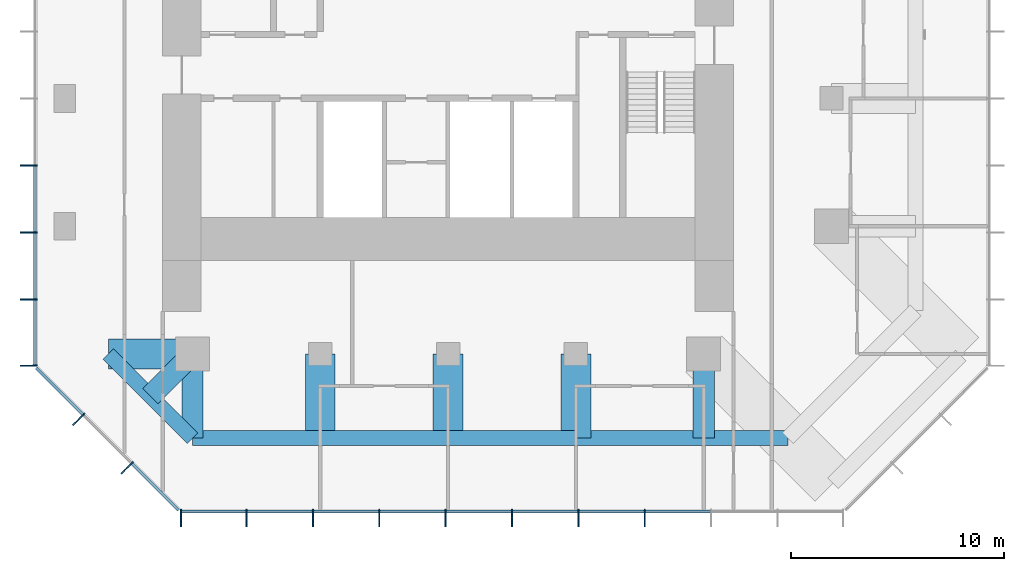
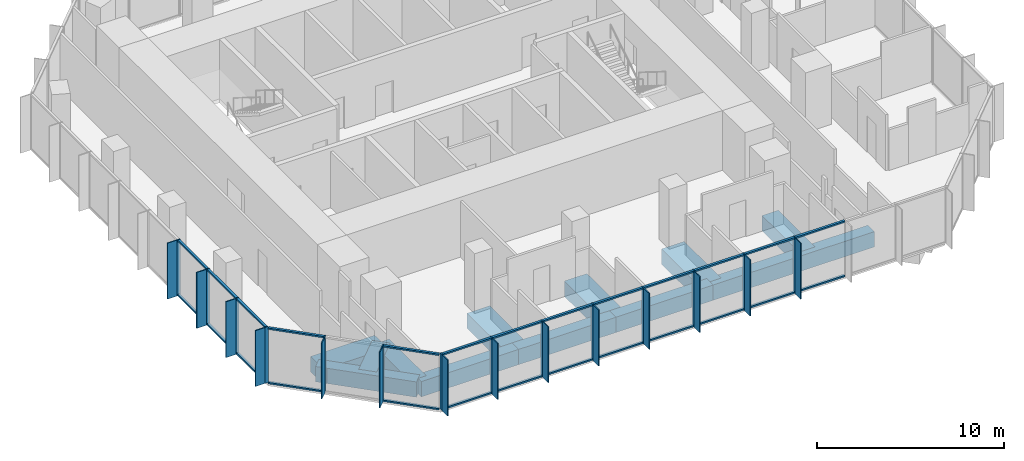
# One storey, part 2 of 11: 54 members, 12 beams, 3 elements without a shape of their own.
"""IFC4 building model written with IfcOpenShell, lengths in metres."""

from ifc_helpers import new_model, si_unit, direction, frame, origin, origin_2d, place, context, subcontext, project, spatial, rectangle, extrude, material, layer, layer_set, material_profile, profile_set, type_object, element, aggregate, save


model = new_model("IFC4")

# Units and contexts
model_context = context("Model", 3, precision=1e-05, world=origin(), true_north=direction((0.0, 1.0)))
body_context = subcontext(model_context, "Body", "Model", "MODEL_VIEW")
ifc_project = project(units=[si_unit("LENGTHUNIT", "METRE"), si_unit("AREAUNIT", "SQUARE_METRE"), si_unit("VOLUMEUNIT", "CUBIC_METRE"), si_unit("PLANEANGLEUNIT", "RADIAN"), si_unit("MASSUNIT", "GRAM", prefix="KILO")], contexts=[model_context])

# Site, building, storey
site_placement = place(None, origin())
site = spatial("IfcSite", under=ifc_project, at=site_placement, CompositionType="ELEMENT")
building_placement = place(site_placement, origin())
building = spatial("IfcBuilding", under=site, at=building_placement, Name="Highveld Stack Headquarters", CompositionType="ELEMENT")
storey_placement = place(building_placement, frame((0.0, 0.0, 291.800048828125)))
storey = spatial("IfcBuildingStorey", under=building, at=storey_placement, Name="L72", CompositionType="ELEMENT", Elevation=291.800048828125)

# Beams
ifc_material_1 = material(Name="Concrete C60/75", Category="concrete")
ifc_material_profile_1 = material_profile(ifc_material_1, rectangle(XDim=1.0, YDim=1.0, at=origin_2d()), Name="RC 1000x1000")
ifc_profile_set_1 = profile_set([ifc_material_profile_1], Name="Concrete C60/75")
beam_type_1 = type_object("IfcBeamType", Name="CANTILEVER RIB RC 1000x1000", PredefinedType="USERDEFINED", material=ifc_profile_set_1)
beam_1_placement = place(storey_placement, frame((-6.0, -12.0, -0.75), z_axis=(0.0, -1.0, 0.0), x_axis=(1.0, 0.0, 0.0)))
element("IfcBeam", 1, at=beam_1_placement, inside=storey, type_object=beam_type_1, Name="Cantilever rib 5/C L72", ObjectType="CANTILEVER RIB", PredefinedType="USERDEFINED", context=body_context, shape_type="SweptSolid", body=[
    extrude(rectangle(XDim=1.0, YDim=1.0, at=origin_2d()), origin(), (0.0, 0.0, 1.0), 3.949951171875),
])
beam_2_placement = place(storey_placement, frame((-6.0, -12.0, -0.75), z_axis=(-0.707106781187, -0.707106781187, 0.0), x_axis=(0.707106781187, -0.707106781187, 0.0)))
element("IfcBeam", 2, at=beam_2_placement, inside=storey, type_object=beam_type_1, Name="Cantilever rib 5/C L72", ObjectType="CANTILEVER RIB", PredefinedType="USERDEFINED", context=body_context, shape_type="SweptSolid", body=[
    extrude(rectangle(XDim=1.0, YDim=1.0, at=origin_2d()), origin(), (0.0, 0.0, 1.0), 2.793212890625),
])
beam_3_placement = place(storey_placement, frame((18.0, -12.0, -0.75), z_axis=(0.0, -1.0, 0.0), x_axis=(1.0, 0.0, 0.0)))
element("IfcBeam", 3, at=beam_3_placement, inside=storey, type_object=beam_type_1, Name="Cantilever rib 9/C L72", ObjectType="CANTILEVER RIB", PredefinedType="USERDEFINED", context=body_context, shape_type="SweptSolid", body=[
    extrude(rectangle(XDim=1.0, YDim=1.0, at=origin_2d()), origin(), (0.0, 0.0, 1.0), 3.949951171875),
])
ifc_material_2 = material(Name="Concrete C60/75", Category="concrete")
ifc_material_profile_2 = material_profile(ifc_material_2, rectangle(XDim=1.39990234375, YDim=1.0, at=origin_2d()), Name="RC 1400x1000")
ifc_profile_set_2 = profile_set([ifc_material_profile_2], Name="Concrete C60/75")
beam_type_2 = type_object("IfcBeamType", Name="CANTILEVER RIB RC 1400x1000", PredefinedType="USERDEFINED", material=ifc_profile_set_2)
for number, where, z_axis, x_axis, name in (
    (4, (-6.0, -12.0, -0.75), (-1.0, 0.0, 0.0), (0.0, -1.0, 0.0), "Cantilever rib 5/C L72"),
    (5, (0.0, -12.0, -0.75), (0.0, -1.0, 0.0), (1.0, 0.0, 0.0), "Cantilever rib 6/C L72"),
    (6, (6.0, -12.0, -0.75), (0.0, -1.0, 0.0), (1.0, 0.0, 0.0), "Cantilever rib 7/C L72"),
    (7, (12.0, -12.0, -0.75), (0.0, -1.0, 0.0), (1.0, 0.0, 0.0), "Cantilever rib 8/C L72"),
):
    element("IfcBeam", number, at=place(storey_placement, frame(where, z_axis=z_axis, x_axis=x_axis)), inside=storey, type_object=beam_type_2, Name=name, ObjectType="CANTILEVER RIB", PredefinedType="USERDEFINED", context=body_context, shape_type="SweptSolid", body=[
        extrude(rectangle(XDim=1.39990234375, YDim=1.0, at=origin_2d()), origin(), (0.0, 0.0, 1.0), 3.949951171875),
    ])

# Curtain wall, members
ifc_material_3 = material(Name="Aluminium bronze anodised", Category="aluminium")
ifc_layer = layer(ifc_material_3, 0.199951171875)
ifc_layer_set = layer_set([ifc_layer], Name="Aluminium bronze anodised")
curtain_wall_type = type_object("IfcCurtainWallType", Name="CW5 EXECUTIVE UNITISED CURTAIN WALL", PredefinedType="NOTDEFINED", material=ifc_layer_set)
curtain_wall_1_placement = place(storey_placement, origin())
curtain_wall_1 = element("IfcCurtainWall", 8, at=curtain_wall_1_placement, inside=storey, type_object=curtain_wall_type, Name="Curtain wall CW5 L72 S", PredefinedType="NOTDEFINED")
ifc_material_4 = material(Name="Aluminium bronze anodised", Category="aluminium")
ifc_material_profile_3 = material_profile(ifc_material_4, rectangle(XDim=0.60009765625, YDim=0.06005859375, at=origin_2d()), Name="FIN 600x60")
ifc_profile_set_3 = profile_set([ifc_material_profile_3], Name="Aluminium bronze anodised")
member_type_1 = type_object("IfcMemberType", Name="CW5 BRONZE FIN 600x60", PredefinedType="USERDEFINED", material=ifc_profile_set_3)
member_1_placement = place(storey_placement, frame((-6.54736328125, -19.800048828125, 0.0), z_axis=(0.0, 0.0, 1.0), x_axis=(0.0, 1.0, 0.0)))
member_1 = element("IfcMember", 9, at=member_1_placement, type_object=member_type_1, Name="CW5 fin L72 1", ObjectType="FIN", PredefinedType="USERDEFINED", context=body_context, shape_type="SweptSolid", body=[
    extrude(rectangle(XDim=0.60009765625, YDim=0.06005859375, at=origin_2d()), origin(), (0.0, 0.0, 1.0), 3.64990234375),
])
member_2_placement = place(storey_placement, frame((-3.4638671875, -19.800048828125, 0.0), z_axis=(0.0, 0.0, 1.0), x_axis=(0.0, 1.0, 0.0)))
member_2 = element("IfcMember", 10, at=member_2_placement, type_object=member_type_1, Name="CW5 fin L72 2", ObjectType="FIN", PredefinedType="USERDEFINED", context=body_context, shape_type="SweptSolid", body=[
    extrude(rectangle(XDim=0.60009765625, YDim=0.06005859375, at=origin_2d()), origin(), (0.0, 0.0, 1.0), 3.64990234375),
])
member_3_placement = place(storey_placement, frame((-0.347900390625, -19.800048828125, 0.0), z_axis=(0.0, 0.0, 1.0), x_axis=(0.0, 1.0, 0.0)))
member_3 = element("IfcMember", 11, at=member_3_placement, type_object=member_type_1, Name="CW5 fin L72 3", ObjectType="FIN", PredefinedType="USERDEFINED", context=body_context, shape_type="SweptSolid", body=[
    extrude(rectangle(XDim=0.60009765625, YDim=0.06005859375, at=origin_2d()), origin(), (0.0, 0.0, 1.0), 3.64990234375),
])
member_4_placement = place(storey_placement, frame((2.76806640625, -19.800048828125, 0.0), z_axis=(0.0, 0.0, 1.0), x_axis=(0.0, 1.0, 0.0)))
member_4 = element("IfcMember", 12, at=member_4_placement, type_object=member_type_1, Name="CW5 fin L72 4", ObjectType="FIN", PredefinedType="USERDEFINED", context=body_context, shape_type="SweptSolid", body=[
    extrude(rectangle(XDim=0.60009765625, YDim=0.06005859375, at=origin_2d()), origin(), (0.0, 0.0, 1.0), 3.64990234375),
])
member_5_placement = place(storey_placement, frame((5.884033203125, -19.800048828125, 0.0), z_axis=(0.0, 0.0, 1.0), x_axis=(0.0, 1.0, 0.0)))
member_5 = element("IfcMember", 13, at=member_5_placement, type_object=member_type_1, Name="CW5 fin L72 5", ObjectType="FIN", PredefinedType="USERDEFINED", context=body_context, shape_type="SweptSolid", body=[
    extrude(rectangle(XDim=0.60009765625, YDim=0.06005859375, at=origin_2d()), origin(), (0.0, 0.0, 1.0), 3.64990234375),
])
member_6_placement = place(storey_placement, frame((9.0, -19.800048828125, 0.0), z_axis=(0.0, 0.0, 1.0), x_axis=(0.0, 1.0, 0.0)))
member_6 = element("IfcMember", 14, at=member_6_placement, type_object=member_type_1, Name="CW5 fin L72 6", ObjectType="FIN", PredefinedType="USERDEFINED", context=body_context, shape_type="SweptSolid", body=[
    extrude(rectangle(XDim=0.60009765625, YDim=0.06005859375, at=origin_2d()), origin(), (0.0, 0.0, 1.0), 3.64990234375),
])
member_7_placement = place(storey_placement, frame((12.115966796875, -19.800048828125, 0.0), z_axis=(0.0, 0.0, 1.0), x_axis=(0.0, 1.0, 0.0)))
member_7 = element("IfcMember", 15, at=member_7_placement, type_object=member_type_1, Name="CW5 fin L72 7", ObjectType="FIN", PredefinedType="USERDEFINED", context=body_context, shape_type="SweptSolid", body=[
    extrude(rectangle(XDim=0.60009765625, YDim=0.06005859375, at=origin_2d()), origin(), (0.0, 0.0, 1.0), 3.64990234375),
])
member_8_placement = place(storey_placement, frame((15.23193359375, -19.800048828125, 0.0), z_axis=(0.0, 0.0, 1.0), x_axis=(0.0, 1.0, 0.0)))
member_8 = element("IfcMember", 16, at=member_8_placement, type_object=member_type_1, Name="CW5 fin L72 8", ObjectType="FIN", PredefinedType="USERDEFINED", context=body_context, shape_type="SweptSolid", body=[
    extrude(rectangle(XDim=0.60009765625, YDim=0.06005859375, at=origin_2d()), origin(), (0.0, 0.0, 1.0), 3.64990234375),
])

curtain_wall_2_placement = place(storey_placement, origin())
curtain_wall_2 = element("IfcCurtainWall", 17, at=curtain_wall_2_placement, inside=storey, type_object=curtain_wall_type, Name="Curtain wall CW5 L72 W", PredefinedType="NOTDEFINED")
member_9_placement = place(storey_placement, frame((-13.800048828125, -3.14501953125, 0.0), z_axis=(0.0, 0.0, 1.0), x_axis=(1.0, 0.0, 0.0)))
member_9 = element("IfcMember", 18, at=member_9_placement, type_object=member_type_1, Name="CW5 fin L72 6", ObjectType="FIN", PredefinedType="USERDEFINED", context=body_context, shape_type="SweptSolid", body=[
    extrude(rectangle(XDim=0.60009765625, YDim=0.06005859375, at=origin_2d()), origin(), (0.0, 0.0, 1.0), 3.64990234375),
])
member_10_placement = place(storey_placement, frame((-13.800048828125, -6.289794921875, 0.0), z_axis=(0.0, 0.0, 1.0), x_axis=(1.0, 0.0, 0.0)))
member_10 = element("IfcMember", 19, at=member_10_placement, type_object=member_type_1, Name="CW5 fin L72 7", ObjectType="FIN", PredefinedType="USERDEFINED", context=body_context, shape_type="SweptSolid", body=[
    extrude(rectangle(XDim=0.60009765625, YDim=0.06005859375, at=origin_2d()), origin(), (0.0, 0.0, 1.0), 3.64990234375),
])
member_11_placement = place(storey_placement, frame((-13.800048828125, -9.434814453125, 0.0), z_axis=(0.0, 0.0, 1.0), x_axis=(1.0, 0.0, 0.0)))
member_11 = element("IfcMember", 20, at=member_11_placement, type_object=member_type_1, Name="CW5 fin L72 8", ObjectType="FIN", PredefinedType="USERDEFINED", context=body_context, shape_type="SweptSolid", body=[
    extrude(rectangle(XDim=0.60009765625, YDim=0.06005859375, at=origin_2d()), origin(), (0.0, 0.0, 1.0), 3.64990234375),
])
member_12_placement = place(storey_placement, frame((-13.800048828125, -12.54736328125, 0.0), z_axis=(0.0, 0.0, 1.0), x_axis=(1.0, 0.0, 0.0)))
member_12 = element("IfcMember", 21, at=member_12_placement, type_object=member_type_1, Name="CW5 fin L72 9", ObjectType="FIN", PredefinedType="USERDEFINED", context=body_context, shape_type="SweptSolid", body=[
    extrude(rectangle(XDim=0.60009765625, YDim=0.06005859375, at=origin_2d()), origin(), (0.0, 0.0, 1.0), 3.64990234375),
])

curtain_wall_3_placement = place(storey_placement, origin())
curtain_wall_3 = element("IfcCurtainWall", 22, at=curtain_wall_3_placement, inside=storey, type_object=curtain_wall_type, Name="Curtain wall CW5 L72 SW", PredefinedType="NOTDEFINED")
member_13_placement = place(storey_placement, frame((-11.409423828125, -15.135986328125, 0.0), z_axis=(0.0, 0.0, 1.0), x_axis=(0.707106781187, 0.707106781187, 0.0)))
member_13 = element("IfcMember", 23, at=member_13_placement, type_object=member_type_1, Name="CW5 fin L72 1", ObjectType="FIN", PredefinedType="USERDEFINED", context=body_context, shape_type="SweptSolid", body=[
    extrude(rectangle(XDim=0.60009765625, YDim=0.06005859375, at=origin_2d()), origin(), (0.0, 0.0, 1.0), 3.64990234375),
])
member_14_placement = place(storey_placement, frame((-9.135986328125, -17.409423828125, 0.0), z_axis=(0.0, 0.0, 1.0), x_axis=(0.707106781187, 0.707106781187, 0.0)))
member_14 = element("IfcMember", 24, at=member_14_placement, type_object=member_type_1, Name="CW5 fin L72 2", ObjectType="FIN", PredefinedType="USERDEFINED", context=body_context, shape_type="SweptSolid", body=[
    extrude(rectangle(XDim=0.60009765625, YDim=0.06005859375, at=origin_2d()), origin(), (0.0, 0.0, 1.0), 3.64990234375),
])

# Member
ifc_material_5 = material(Name="Aluminium bronze anodised", Category="aluminium")
ifc_material_profile_4 = material_profile(ifc_material_5, rectangle(XDim=0.199951171875, YDim=0.06494140625, at=origin_2d()), Name="CW5 MULLION 65x200")
ifc_profile_set_4 = profile_set([ifc_material_profile_4], Name="Aluminium bronze anodised")
member_type_2 = type_object("IfcMemberType", Name="CW5 MULLION 65x200", PredefinedType="MULLION", material=ifc_profile_set_4)
member_15_placement = place(storey_placement, frame((-6.54736328125, -19.39990234375, 0.0), z_axis=(0.0, 0.0, 1.0), x_axis=(0.0, 1.0, 0.0)))
member_15 = element("IfcMember", 25, at=member_15_placement, type_object=member_type_2, Name="CW5 mullion L72 1", PredefinedType="MULLION", context=body_context, shape_type="SweptSolid", body=[
    extrude(rectangle(XDim=0.199951171875, YDim=0.06494140625, at=origin_2d()), origin(), (0.0, 0.0, 1.0), 3.64990234375),
])

member_16_placement = place(storey_placement, frame((-3.4638671875, -19.39990234375, 0.0), z_axis=(0.0, 0.0, 1.0), x_axis=(0.0, 1.0, 0.0)))
member_16 = element("IfcMember", 26, at=member_16_placement, type_object=member_type_2, Name="CW5 mullion L72 2", PredefinedType="MULLION", context=body_context, shape_type="SweptSolid", body=[
    extrude(rectangle(XDim=0.199951171875, YDim=0.06494140625, at=origin_2d()), origin(), (0.0, 0.0, 1.0), 3.64990234375),
])

member_17_placement = place(storey_placement, frame((-0.347900390625, -19.39990234375, 0.0), z_axis=(0.0, 0.0, 1.0), x_axis=(0.0, 1.0, 0.0)))
member_17 = element("IfcMember", 27, at=member_17_placement, type_object=member_type_2, Name="CW5 mullion L72 3", PredefinedType="MULLION", context=body_context, shape_type="SweptSolid", body=[
    extrude(rectangle(XDim=0.199951171875, YDim=0.06494140625, at=origin_2d()), origin(), (0.0, 0.0, 1.0), 3.64990234375),
])

member_18_placement = place(storey_placement, frame((2.76806640625, -19.39990234375, 0.0), z_axis=(0.0, 0.0, 1.0), x_axis=(0.0, 1.0, 0.0)))
member_18 = element("IfcMember", 28, at=member_18_placement, type_object=member_type_2, Name="CW5 mullion L72 4", PredefinedType="MULLION", context=body_context, shape_type="SweptSolid", body=[
    extrude(rectangle(XDim=0.199951171875, YDim=0.06494140625, at=origin_2d()), origin(), (0.0, 0.0, 1.0), 3.64990234375),
])

member_19_placement = place(storey_placement, frame((5.884033203125, -19.39990234375, 0.0), z_axis=(0.0, 0.0, 1.0), x_axis=(0.0, 1.0, 0.0)))
member_19 = element("IfcMember", 29, at=member_19_placement, type_object=member_type_2, Name="CW5 mullion L72 5", PredefinedType="MULLION", context=body_context, shape_type="SweptSolid", body=[
    extrude(rectangle(XDim=0.199951171875, YDim=0.06494140625, at=origin_2d()), origin(), (0.0, 0.0, 1.0), 3.64990234375),
])

member_20_placement = place(storey_placement, frame((9.0, -19.39990234375, 0.0), z_axis=(0.0, 0.0, 1.0), x_axis=(0.0, 1.0, 0.0)))
member_20 = element("IfcMember", 30, at=member_20_placement, type_object=member_type_2, Name="CW5 mullion L72 6", PredefinedType="MULLION", context=body_context, shape_type="SweptSolid", body=[
    extrude(rectangle(XDim=0.199951171875, YDim=0.06494140625, at=origin_2d()), origin(), (0.0, 0.0, 1.0), 3.64990234375),
])

member_21_placement = place(storey_placement, frame((12.115966796875, -19.39990234375, 0.0), z_axis=(0.0, 0.0, 1.0), x_axis=(0.0, 1.0, 0.0)))
member_21 = element("IfcMember", 31, at=member_21_placement, type_object=member_type_2, Name="CW5 mullion L72 7", PredefinedType="MULLION", context=body_context, shape_type="SweptSolid", body=[
    extrude(rectangle(XDim=0.199951171875, YDim=0.06494140625, at=origin_2d()), origin(), (0.0, 0.0, 1.0), 3.64990234375),
])

member_22_placement = place(storey_placement, frame((15.23193359375, -19.39990234375, 0.0), z_axis=(0.0, 0.0, 1.0), x_axis=(0.0, 1.0, 0.0)))
member_22 = element("IfcMember", 32, at=member_22_placement, type_object=member_type_2, Name="CW5 mullion L72 8", PredefinedType="MULLION", context=body_context, shape_type="SweptSolid", body=[
    extrude(rectangle(XDim=0.199951171875, YDim=0.06494140625, at=origin_2d()), origin(), (0.0, 0.0, 1.0), 3.64990234375),
])

member_23_placement = place(storey_placement, frame((-13.39990234375, -3.14501953125, 0.0), z_axis=(0.0, 0.0, 1.0), x_axis=(1.0, 0.0, 0.0)))
member_23 = element("IfcMember", 33, at=member_23_placement, type_object=member_type_2, Name="CW5 mullion L72 6", PredefinedType="MULLION", context=body_context, shape_type="SweptSolid", body=[
    extrude(rectangle(XDim=0.199951171875, YDim=0.06494140625, at=origin_2d()), origin(), (0.0, 0.0, 1.0), 3.64990234375),
])

member_24_placement = place(storey_placement, frame((-13.39990234375, -6.289794921875, 0.0), z_axis=(0.0, 0.0, 1.0), x_axis=(1.0, 0.0, 0.0)))
member_24 = element("IfcMember", 34, at=member_24_placement, type_object=member_type_2, Name="CW5 mullion L72 7", PredefinedType="MULLION", context=body_context, shape_type="SweptSolid", body=[
    extrude(rectangle(XDim=0.199951171875, YDim=0.06494140625, at=origin_2d()), origin(), (0.0, 0.0, 1.0), 3.64990234375),
])

member_25_placement = place(storey_placement, frame((-13.39990234375, -9.434814453125, 0.0), z_axis=(0.0, 0.0, 1.0), x_axis=(1.0, 0.0, 0.0)))
member_25 = element("IfcMember", 35, at=member_25_placement, type_object=member_type_2, Name="CW5 mullion L72 8", PredefinedType="MULLION", context=body_context, shape_type="SweptSolid", body=[
    extrude(rectangle(XDim=0.199951171875, YDim=0.06494140625, at=origin_2d()), origin(), (0.0, 0.0, 1.0), 3.64990234375),
])

member_26_placement = place(storey_placement, frame((-13.39990234375, -12.54736328125, 0.0), z_axis=(0.0, 0.0, 1.0), x_axis=(1.0, 0.0, 0.0)))
member_26 = element("IfcMember", 36, at=member_26_placement, type_object=member_type_2, Name="CW5 mullion L72 9", PredefinedType="MULLION", context=body_context, shape_type="SweptSolid", body=[
    extrude(rectangle(XDim=0.199951171875, YDim=0.06494140625, at=origin_2d()), origin(), (0.0, 0.0, 1.0), 3.64990234375),
])

member_27_placement = place(storey_placement, frame((-11.126708984375, -14.853271484375, 0.0), z_axis=(0.0, 0.0, 1.0), x_axis=(0.707106781187, 0.707106781187, 0.0)))
member_27 = element("IfcMember", 37, at=member_27_placement, type_object=member_type_2, Name="CW5 mullion L72 1", PredefinedType="MULLION", context=body_context, shape_type="SweptSolid", body=[
    extrude(rectangle(XDim=0.199951171875, YDim=0.06494140625, at=origin_2d()), origin(), (0.0, 0.0, 1.0), 3.64990234375),
])

member_28_placement = place(storey_placement, frame((-8.853271484375, -17.126708984375, 0.0), z_axis=(0.0, 0.0, 1.0), x_axis=(0.707106781187, 0.707106781187, 0.0)))
member_28 = element("IfcMember", 38, at=member_28_placement, type_object=member_type_2, Name="CW5 mullion L72 2", PredefinedType="MULLION", context=body_context, shape_type="SweptSolid", body=[
    extrude(rectangle(XDim=0.199951171875, YDim=0.06494140625, at=origin_2d()), origin(), (0.0, 0.0, 1.0), 3.64990234375),
])

ifc_material_6 = material(Name="Aluminium bronze anodised", Category="aluminium")
ifc_material_profile_5 = material_profile(ifc_material_6, rectangle(XDim=0.14990234375, YDim=0.10009765625, at=origin_2d()), Name="CW5 TRANSOM 150x100")
ifc_profile_set_5 = profile_set([ifc_material_profile_5], Name="Aluminium bronze anodised")
member_type_3 = type_object("IfcMemberType", Name="CW5 STACK TRANSOM 150x100", PredefinedType="USERDEFINED", material=ifc_profile_set_5)
member_29_placement = place(storey_placement, frame((-6.514892578125, -19.39990234375, 0.050048828125), z_axis=(1.0, 0.0, 0.0), x_axis=(0.0, 1.0, 0.0)))
member_29 = element("IfcMember", 39, at=member_29_placement, type_object=member_type_3, Name="CW5 transom L72 1.1", ObjectType="TRANSOM", PredefinedType="USERDEFINED", context=body_context, shape_type="SweptSolid", body=[
    extrude(rectangle(XDim=0.14990234375, YDim=0.10009765625, at=origin_2d()), origin(), (0.0, 0.0, 1.0), 3.0185546875),
])

member_30_placement = place(storey_placement, frame((-6.514892578125, -19.39990234375, 3.599853515625), z_axis=(1.0, 0.0, 0.0), x_axis=(0.0, 1.0, 0.0)))
member_30 = element("IfcMember", 40, at=member_30_placement, type_object=member_type_3, Name="CW5 transom L72 1.2", ObjectType="TRANSOM", PredefinedType="USERDEFINED", context=body_context, shape_type="SweptSolid", body=[
    extrude(rectangle(XDim=0.14990234375, YDim=0.10009765625, at=origin_2d()), origin(), (0.0, 0.0, 1.0), 3.0185546875),
])

member_31_placement = place(storey_placement, frame((-3.431396484375, -19.39990234375, 0.050048828125), z_axis=(1.0, 0.0, 0.0), x_axis=(0.0, 1.0, 0.0)))
member_31 = element("IfcMember", 41, at=member_31_placement, type_object=member_type_3, Name="CW5 transom L72 2.1", ObjectType="TRANSOM", PredefinedType="USERDEFINED", context=body_context, shape_type="SweptSolid", body=[
    extrude(rectangle(XDim=0.14990234375, YDim=0.10009765625, at=origin_2d()), origin(), (0.0, 0.0, 1.0), 3.051025390625),
])

member_32_placement = place(storey_placement, frame((-3.431396484375, -19.39990234375, 3.599853515625), z_axis=(1.0, 0.0, 0.0), x_axis=(0.0, 1.0, 0.0)))
member_32 = element("IfcMember", 42, at=member_32_placement, type_object=member_type_3, Name="CW5 transom L72 2.2", ObjectType="TRANSOM", PredefinedType="USERDEFINED", context=body_context, shape_type="SweptSolid", body=[
    extrude(rectangle(XDim=0.14990234375, YDim=0.10009765625, at=origin_2d()), origin(), (0.0, 0.0, 1.0), 3.051025390625),
])

member_33_placement = place(storey_placement, frame((-0.3154296875, -19.39990234375, 0.050048828125), z_axis=(1.0, 0.0, 0.0), x_axis=(0.0, 1.0, 0.0)))
member_33 = element("IfcMember", 43, at=member_33_placement, type_object=member_type_3, Name="CW5 transom L72 3.1", ObjectType="TRANSOM", PredefinedType="USERDEFINED", context=body_context, shape_type="SweptSolid", body=[
    extrude(rectangle(XDim=0.14990234375, YDim=0.10009765625, at=origin_2d()), origin(), (0.0, 0.0, 1.0), 3.051025390625),
])

member_34_placement = place(storey_placement, frame((-0.3154296875, -19.39990234375, 3.599853515625), z_axis=(1.0, 0.0, 0.0), x_axis=(0.0, 1.0, 0.0)))
member_34 = element("IfcMember", 44, at=member_34_placement, type_object=member_type_3, Name="CW5 transom L72 3.2", ObjectType="TRANSOM", PredefinedType="USERDEFINED", context=body_context, shape_type="SweptSolid", body=[
    extrude(rectangle(XDim=0.14990234375, YDim=0.10009765625, at=origin_2d()), origin(), (0.0, 0.0, 1.0), 3.051025390625),
])

member_35_placement = place(storey_placement, frame((2.800537109375, -19.39990234375, 0.050048828125), z_axis=(1.0, 0.0, 0.0), x_axis=(0.0, 1.0, 0.0)))
member_35 = element("IfcMember", 45, at=member_35_placement, type_object=member_type_3, Name="CW5 transom L72 4.1", ObjectType="TRANSOM", PredefinedType="USERDEFINED", context=body_context, shape_type="SweptSolid", body=[
    extrude(rectangle(XDim=0.14990234375, YDim=0.10009765625, at=origin_2d()), origin(), (0.0, 0.0, 1.0), 3.051025390625),
])

member_36_placement = place(storey_placement, frame((2.800537109375, -19.39990234375, 3.599853515625), z_axis=(1.0, 0.0, 0.0), x_axis=(0.0, 1.0, 0.0)))
member_36 = element("IfcMember", 46, at=member_36_placement, type_object=member_type_3, Name="CW5 transom L72 4.2", ObjectType="TRANSOM", PredefinedType="USERDEFINED", context=body_context, shape_type="SweptSolid", body=[
    extrude(rectangle(XDim=0.14990234375, YDim=0.10009765625, at=origin_2d()), origin(), (0.0, 0.0, 1.0), 3.051025390625),
])

member_37_placement = place(storey_placement, frame((5.91650390625, -19.39990234375, 0.050048828125), z_axis=(1.0, 0.0, 0.0), x_axis=(0.0, 1.0, 0.0)))
member_37 = element("IfcMember", 47, at=member_37_placement, type_object=member_type_3, Name="CW5 transom L72 5.1", ObjectType="TRANSOM", PredefinedType="USERDEFINED", context=body_context, shape_type="SweptSolid", body=[
    extrude(rectangle(XDim=0.14990234375, YDim=0.10009765625, at=origin_2d()), origin(), (0.0, 0.0, 1.0), 3.051025390625),
])

member_38_placement = place(storey_placement, frame((5.91650390625, -19.39990234375, 3.599853515625), z_axis=(1.0, 0.0, 0.0), x_axis=(0.0, 1.0, 0.0)))
member_38 = element("IfcMember", 48, at=member_38_placement, type_object=member_type_3, Name="CW5 transom L72 5.2", ObjectType="TRANSOM", PredefinedType="USERDEFINED", context=body_context, shape_type="SweptSolid", body=[
    extrude(rectangle(XDim=0.14990234375, YDim=0.10009765625, at=origin_2d()), origin(), (0.0, 0.0, 1.0), 3.051025390625),
])

member_39_placement = place(storey_placement, frame((9.032470703125, -19.39990234375, 0.050048828125), z_axis=(1.0, 0.0, 0.0), x_axis=(0.0, 1.0, 0.0)))
member_39 = element("IfcMember", 49, at=member_39_placement, type_object=member_type_3, Name="CW5 transom L72 6.1", ObjectType="TRANSOM", PredefinedType="USERDEFINED", context=body_context, shape_type="SweptSolid", body=[
    extrude(rectangle(XDim=0.14990234375, YDim=0.10009765625, at=origin_2d()), origin(), (0.0, 0.0, 1.0), 3.051025390625),
])

member_40_placement = place(storey_placement, frame((9.032470703125, -19.39990234375, 3.599853515625), z_axis=(1.0, 0.0, 0.0), x_axis=(0.0, 1.0, 0.0)))
member_40 = element("IfcMember", 50, at=member_40_placement, type_object=member_type_3, Name="CW5 transom L72 6.2", ObjectType="TRANSOM", PredefinedType="USERDEFINED", context=body_context, shape_type="SweptSolid", body=[
    extrude(rectangle(XDim=0.14990234375, YDim=0.10009765625, at=origin_2d()), origin(), (0.0, 0.0, 1.0), 3.051025390625),
])

member_41_placement = place(storey_placement, frame((12.1484375, -19.39990234375, 0.050048828125), z_axis=(1.0, 0.0, 0.0), x_axis=(0.0, 1.0, 0.0)))
member_41 = element("IfcMember", 51, at=member_41_placement, type_object=member_type_3, Name="CW5 transom L72 7.1", ObjectType="TRANSOM", PredefinedType="USERDEFINED", context=body_context, shape_type="SweptSolid", body=[
    extrude(rectangle(XDim=0.14990234375, YDim=0.10009765625, at=origin_2d()), origin(), (0.0, 0.0, 1.0), 3.051025390625),
])

member_42_placement = place(storey_placement, frame((12.1484375, -19.39990234375, 3.599853515625), z_axis=(1.0, 0.0, 0.0), x_axis=(0.0, 1.0, 0.0)))
member_42 = element("IfcMember", 52, at=member_42_placement, type_object=member_type_3, Name="CW5 transom L72 7.2", ObjectType="TRANSOM", PredefinedType="USERDEFINED", context=body_context, shape_type="SweptSolid", body=[
    extrude(rectangle(XDim=0.14990234375, YDim=0.10009765625, at=origin_2d()), origin(), (0.0, 0.0, 1.0), 3.051025390625),
])

member_43_placement = place(storey_placement, frame((15.264404296875, -19.39990234375, 0.050048828125), z_axis=(1.0, 0.0, 0.0), x_axis=(0.0, 1.0, 0.0)))
member_43 = element("IfcMember", 53, at=member_43_placement, type_object=member_type_3, Name="CW5 transom L72 8.1", ObjectType="TRANSOM", PredefinedType="USERDEFINED", context=body_context, shape_type="SweptSolid", body=[
    extrude(rectangle(XDim=0.14990234375, YDim=0.10009765625, at=origin_2d()), origin(), (0.0, 0.0, 1.0), 3.051025390625),
])

member_44_placement = place(storey_placement, frame((15.264404296875, -19.39990234375, 3.599853515625), z_axis=(1.0, 0.0, 0.0), x_axis=(0.0, 1.0, 0.0)))
member_44 = element("IfcMember", 54, at=member_44_placement, type_object=member_type_3, Name="CW5 transom L72 8.2", ObjectType="TRANSOM", PredefinedType="USERDEFINED", context=body_context, shape_type="SweptSolid", body=[
    extrude(rectangle(XDim=0.14990234375, YDim=0.10009765625, at=origin_2d()), origin(), (0.0, 0.0, 1.0), 3.051025390625),
])

aggregate(curtain_wall_1, [member_15, member_1, member_16, member_2, member_17, member_3, member_18, member_4, member_19, member_5, member_20, member_6, member_21, member_7, member_22, member_8, member_29, member_30, member_31, member_32, member_33, member_34, member_35, member_36, member_37, member_38, member_39, member_40, member_41, member_42, member_43, member_44])

member_45_placement = place(storey_placement, frame((-13.39990234375, -3.177490234375, 0.050048828125), z_axis=(0.0, -1.0, 0.0), x_axis=(1.0, 0.0, 0.0)))
member_45 = element("IfcMember", 55, at=member_45_placement, type_object=member_type_3, Name="CW5 transom L72 6.1", ObjectType="TRANSOM", PredefinedType="USERDEFINED", context=body_context, shape_type="SweptSolid", body=[
    extrude(rectangle(XDim=0.14990234375, YDim=0.10009765625, at=origin_2d()), origin(), (0.0, 0.0, 1.0), 3.080078125),
])

member_46_placement = place(storey_placement, frame((-13.39990234375, -3.177490234375, 3.599853515625), z_axis=(0.0, -1.0, 0.0), x_axis=(1.0, 0.0, 0.0)))
member_46 = element("IfcMember", 56, at=member_46_placement, type_object=member_type_3, Name="CW5 transom L72 6.2", ObjectType="TRANSOM", PredefinedType="USERDEFINED", context=body_context, shape_type="SweptSolid", body=[
    extrude(rectangle(XDim=0.14990234375, YDim=0.10009765625, at=origin_2d()), origin(), (0.0, 0.0, 1.0), 3.080078125),
])

member_47_placement = place(storey_placement, frame((-13.39990234375, -6.322509765625, 0.050048828125), z_axis=(0.0, -1.0, 0.0), x_axis=(1.0, 0.0, 0.0)))
member_47 = element("IfcMember", 57, at=member_47_placement, type_object=member_type_3, Name="CW5 transom L72 7.1", ObjectType="TRANSOM", PredefinedType="USERDEFINED", context=body_context, shape_type="SweptSolid", body=[
    extrude(rectangle(XDim=0.14990234375, YDim=0.10009765625, at=origin_2d()), origin(), (0.0, 0.0, 1.0), 3.079833984375),
])

member_48_placement = place(storey_placement, frame((-13.39990234375, -6.322509765625, 3.599853515625), z_axis=(0.0, -1.0, 0.0), x_axis=(1.0, 0.0, 0.0)))
member_48 = element("IfcMember", 58, at=member_48_placement, type_object=member_type_3, Name="CW5 transom L72 7.2", ObjectType="TRANSOM", PredefinedType="USERDEFINED", context=body_context, shape_type="SweptSolid", body=[
    extrude(rectangle(XDim=0.14990234375, YDim=0.10009765625, at=origin_2d()), origin(), (0.0, 0.0, 1.0), 3.079833984375),
])

member_49_placement = place(storey_placement, frame((-13.39990234375, -9.46728515625, 0.050048828125), z_axis=(0.0, -1.0, 0.0), x_axis=(1.0, 0.0, 0.0)))
member_49 = element("IfcMember", 59, at=member_49_placement, type_object=member_type_3, Name="CW5 transom L72 8.1", ObjectType="TRANSOM", PredefinedType="USERDEFINED", context=body_context, shape_type="SweptSolid", body=[
    extrude(rectangle(XDim=0.14990234375, YDim=0.10009765625, at=origin_2d()), origin(), (0.0, 0.0, 1.0), 3.047607421875),
])

member_50_placement = place(storey_placement, frame((-13.39990234375, -9.46728515625, 3.599853515625), z_axis=(0.0, -1.0, 0.0), x_axis=(1.0, 0.0, 0.0)))
member_50 = element("IfcMember", 60, at=member_50_placement, type_object=member_type_3, Name="CW5 transom L72 8.2", ObjectType="TRANSOM", PredefinedType="USERDEFINED", context=body_context, shape_type="SweptSolid", body=[
    extrude(rectangle(XDim=0.14990234375, YDim=0.10009765625, at=origin_2d()), origin(), (0.0, 0.0, 1.0), 3.047607421875),
])

aggregate(curtain_wall_2, [member_23, member_9, member_24, member_10, member_25, member_11, member_26, member_12, member_45, member_46, member_47, member_48, member_49, member_50])

member_51_placement = place(storey_placement, frame((-13.329345703125, -12.650634765625, 0.050048828125), z_axis=(0.707106781187, -0.707106781187, 0.0), x_axis=(0.707106781187, 0.707106781187, 0.0)))
member_51 = element("IfcMember", 61, at=member_51_placement, type_object=member_type_3, Name="CW5 transom L72 1.1", ObjectType="TRANSOM", PredefinedType="USERDEFINED", context=body_context, shape_type="SweptSolid", body=[
    extrude(rectangle(XDim=0.14990234375, YDim=0.10009765625, at=origin_2d()), origin(), (0.0, 0.0, 1.0), 3.08251953125),
])

member_52_placement = place(storey_placement, frame((-13.329345703125, -12.650634765625, 3.599853515625), z_axis=(0.707106781187, -0.707106781187, 0.0), x_axis=(0.707106781187, 0.707106781187, 0.0)))
member_52 = element("IfcMember", 62, at=member_52_placement, type_object=member_type_3, Name="CW5 transom L72 1.2", ObjectType="TRANSOM", PredefinedType="USERDEFINED", context=body_context, shape_type="SweptSolid", body=[
    extrude(rectangle(XDim=0.14990234375, YDim=0.10009765625, at=origin_2d()), origin(), (0.0, 0.0, 1.0), 3.08251953125),
])

member_53_placement = place(storey_placement, frame((-8.830322265625, -17.149658203125, 0.050048828125), z_axis=(0.707106781187, -0.707106781187, 0.0), x_axis=(0.707106781187, 0.707106781187, 0.0)))
member_53 = element("IfcMember", 63, at=member_53_placement, type_object=member_type_3, Name="CW5 transom L72 3.1", ObjectType="TRANSOM", PredefinedType="USERDEFINED", context=body_context, shape_type="SweptSolid", body=[
    extrude(rectangle(XDim=0.14990234375, YDim=0.10009765625, at=origin_2d()), origin(), (0.0, 0.0, 1.0), 3.08251953125),
])

member_54_placement = place(storey_placement, frame((-8.830322265625, -17.149658203125, 3.599853515625), z_axis=(0.707106781187, -0.707106781187, 0.0), x_axis=(0.707106781187, 0.707106781187, 0.0)))
member_54 = element("IfcMember", 64, at=member_54_placement, type_object=member_type_3, Name="CW5 transom L72 3.2", ObjectType="TRANSOM", PredefinedType="USERDEFINED", context=body_context, shape_type="SweptSolid", body=[
    extrude(rectangle(XDim=0.14990234375, YDim=0.10009765625, at=origin_2d()), origin(), (0.0, 0.0, 1.0), 3.08251953125),
])

aggregate(curtain_wall_3, [member_27, member_13, member_28, member_14, member_51, member_52, member_53, member_54])

# Beams
ifc_material_7 = material(Name="Concrete C60/75", Category="concrete")
ifc_material_profile_6 = material_profile(ifc_material_7, rectangle(XDim=0.699951171875, YDim=1.0, at=origin_2d()), Name="RC 700x1000")
ifc_profile_set_6 = profile_set([ifc_material_profile_6], Name="Concrete C60/75")
beam_type_3 = type_object("IfcBeamType", Name="RIB TIP BEAM RC 700x1000", PredefinedType="SPANDREL", material=ifc_profile_set_6)
for number, where, z_axis, x_axis, name in (
    (65, (-6.0, -15.949951171875, -0.75), (1.0, 0.0, 0.0), (0.0, 1.0, 0.0), "Rib tip beam 5/C to 6/C L72"),
    (66, (0.0, -15.949951171875, -0.75), (1.0, 0.0, 0.0), (0.0, 1.0, 0.0), "Rib tip beam 6/C to 7/C L72"),
    (67, (6.0, -15.949951171875, -0.75), (1.0, 0.0, 0.0), (0.0, 1.0, 0.0), "Rib tip beam 7/C to 8/C L72"),
):
    element("IfcBeam", number, at=place(storey_placement, frame(where, z_axis=z_axis, x_axis=x_axis)), inside=storey, type_object=beam_type_3, Name=name, PredefinedType="SPANDREL", context=body_context, shape_type="SweptSolid", body=[
        extrude(rectangle(XDim=0.699951171875, YDim=1.0, at=origin_2d()), origin(), (0.0, 0.0, 1.0), 6.0),
    ])
beam_4_placement = place(storey_placement, frame((12.0, -15.949951171875, -0.75), z_axis=(1.0, 0.0, 0.0), x_axis=(0.0, 1.0, 0.0)))
element("IfcBeam", 68, at=beam_4_placement, inside=storey, type_object=beam_type_3, Name="Rib tip beam 8/C to 9/C L72", PredefinedType="SPANDREL", context=body_context, shape_type="SweptSolid", body=[
    extrude(rectangle(XDim=0.699951171875, YDim=1.0, at=origin_2d()), origin(), (0.0, 0.0, 1.0), 9.949951171875),
])
beam_5_placement = place(storey_placement, frame((-9.949951171875, -12.0, -0.75), z_axis=(0.707106781187, -0.707106781187, 0.0), x_axis=(0.707106781187, 0.707106781187, 0.0)))
element("IfcBeam", 69, at=beam_5_placement, inside=storey, type_object=beam_type_3, Name="Rib tip beam 5/C corner L72", PredefinedType="SPANDREL", context=body_context, shape_type="SweptSolid", body=[
    extrude(rectangle(XDim=0.699951171875, YDim=1.0, at=origin_2d()), origin(), (0.0, 0.0, 1.0), 5.586181640625),
])

save(model, "model.ifc")
